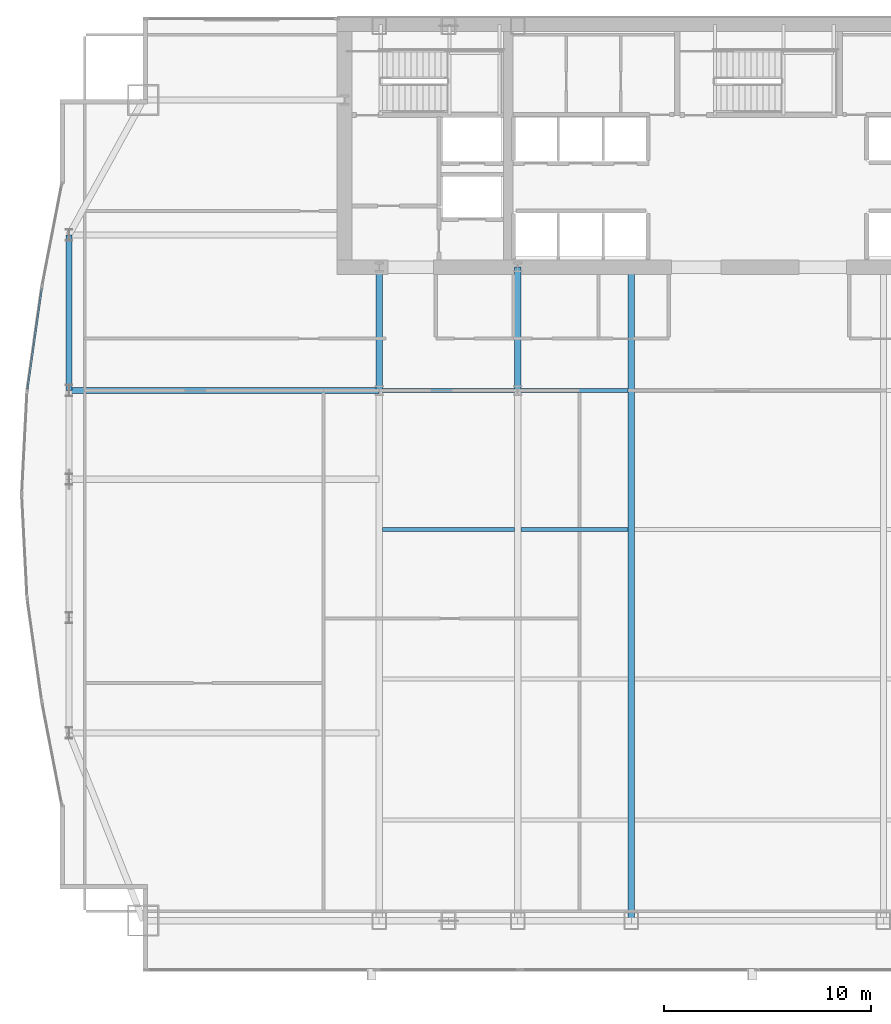
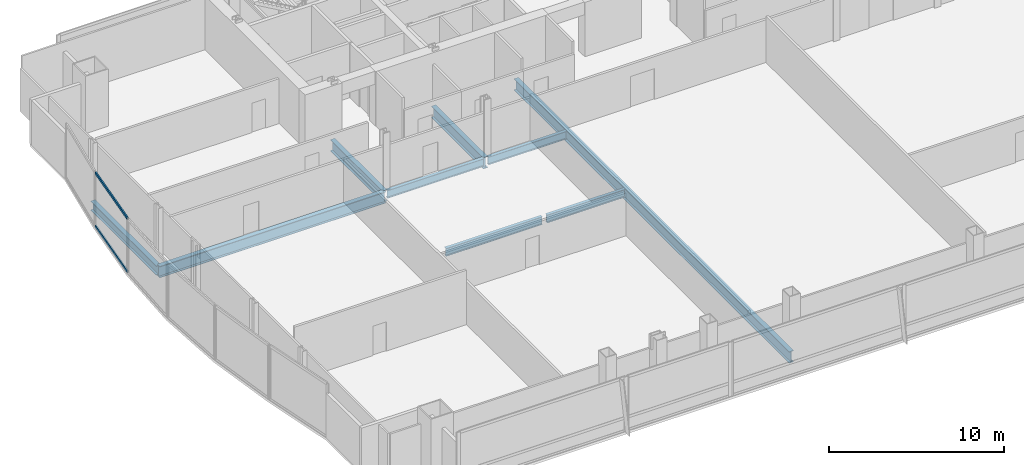
# One storey, part 12 of 34: 9 beams, 2 members, 1 element without a shape of its own.
"""IFC4 building model written with IfcOpenShell, lengths in metres."""

from ifc_helpers import new_model, si_unit, direction, frame, origin, origin_2d, place, context, subcontext, project, spatial, hollow_rectangle, i_section, extrude, material, material_profile, profile_set, type_object, element, aggregate, save


model = new_model("IFC4")

# Units and contexts
model_context = context("Model", 3, precision=1e-05, world=origin(), true_north=direction((0.0, 1.0)))
body_context = subcontext(model_context, "Body", "Model", "MODEL_VIEW")
ifc_project = project(units=[si_unit("LENGTHUNIT", "METRE"), si_unit("AREAUNIT", "SQUARE_METRE"), si_unit("VOLUMEUNIT", "CUBIC_METRE"), si_unit("PLANEANGLEUNIT", "RADIAN"), si_unit("MASSUNIT", "GRAM", prefix="KILO")], contexts=[model_context])

# Site, building, storey
site_placement = place(None, origin())
site = spatial("IfcSite", under=ifc_project, at=site_placement, CompositionType="ELEMENT")
building_placement = place(site_placement, origin())
building = spatial("IfcBuilding", under=site, at=building_placement, Name="Khoronbel Lancet Exchange", CompositionType="ELEMENT")
storey_placement = place(building_placement, frame((0.0, 0.0, 102.60009765625)))
storey = spatial("IfcBuildingStorey", under=building, at=storey_placement, Name="L24", CompositionType="ELEMENT", Elevation=102.60009765625)

# Beams
ifc_material_1 = material(Name="Steel S355", Category="steel")
ifc_material_profile_1 = material_profile(ifc_material_1, i_section(OverallWidth=0.300048828125, OverallDepth=0.800048828125, WebThickness=0.017578125, FlangeThickness=0.032958984375, at=origin_2d()), Name="HEB 800")
ifc_profile_set_1 = profile_set([ifc_material_profile_1], Name="Steel S355")
beam_type_1 = type_object("IfcBeamType", Name="BM-BG2", PredefinedType="BEAM", material=ifc_profile_set_1)
for number, where, z_axis, x_axis, name in (
    (1, (18.22509765625, 35.699951171875, -0.580078125), (0.0, 1.0, 0.0), (-1.0, 0.0, 0.0), "Level L24 spine tie girder GN1"),
    (2, (24.89990234375, 35.699951171875, -0.580078125), (0.0, 1.0, 0.0), (-1.0, 0.0, 0.0), "Level L24 spine tie girder GN2"),
):
    element("IfcBeam", number, at=place(storey_placement, frame(where, z_axis=z_axis, x_axis=x_axis)), inside=storey, type_object=beam_type_1, Name=name, PredefinedType="BEAM", context=body_context, shape_type="SweptSolid", body=[
        extrude(i_section(OverallWidth=0.300048828125, OverallDepth=0.800048828125, WebThickness=0.017578125, FlangeThickness=0.032958984375, at=origin_2d()), origin(), (0.0, 0.0, 1.0), 5.949951171875),
    ])
beam_1_placement = place(storey_placement, frame((30.375, 10.14990234375, -0.580078125), z_axis=(0.0, 1.0, 0.0), x_axis=(-1.0, 0.0, 0.0)))
element("IfcBeam", 3, at=beam_1_placement, inside=storey, type_object=beam_type_1, Name="Level L24 primary floor girder G3", PredefinedType="BEAM", context=body_context, shape_type="SweptSolid", body=[
    extrude(i_section(OverallWidth=0.300048828125, OverallDepth=0.800048828125, WebThickness=0.017578125, FlangeThickness=0.032958984375, at=origin_2d()), origin(), (0.0, 0.0, 1.0), 31.5),
])
beam_2_placement = place(storey_placement, frame((3.27001953125, 35.699951171875, -0.580078125), z_axis=(1.0, 0.0, 0.0), x_axis=(0.0, 1.0, 0.0)))
element("IfcBeam", 4, at=beam_2_placement, inside=storey, type_object=beam_type_1, Name="Level L24 west lens tie girder LG4W", PredefinedType="BEAM", context=body_context, shape_type="SweptSolid", body=[
    extrude(i_section(OverallWidth=0.300048828125, OverallDepth=0.800048828125, WebThickness=0.017578125, FlangeThickness=0.032958984375, at=origin_2d()), origin(), (0.0, 0.0, 1.0), 14.955078125),
])
ifc_material_profile_2 = material_profile(ifc_material_1, i_section(OverallWidth=0.2099609375, OverallDepth=0.550048828125, WebThickness=0.010986328125, FlangeThickness=0.01708984375, at=origin_2d()), Name="IPE 550")
ifc_profile_set_2 = profile_set([ifc_material_profile_2], Name="Steel S355")
beam_type_2 = type_object("IfcBeamType", Name="BM-BJ2", PredefinedType="JOIST", material=ifc_profile_set_2)
beam_3_placement = place(storey_placement, frame((18.375, 29.0, -0.455078125), z_axis=(1.0, 0.0, 0.0), x_axis=(0.0, 1.0, 0.0)))
element("IfcBeam", 5, at=beam_3_placement, inside=storey, type_object=beam_type_2, Name="Level L24 secondary composite joist J11", PredefinedType="JOIST", context=body_context, shape_type="SweptSolid", body=[
    extrude(i_section(OverallWidth=0.2099609375, OverallDepth=0.550048828125, WebThickness=0.010986328125, FlangeThickness=0.01708984375, at=origin_2d()), origin(), (0.0, 0.0, 1.0), 6.375),
])
beam_4_placement = place(storey_placement, frame((25.050048828125, 29.0, -0.455078125), z_axis=(1.0, 0.0, 0.0), x_axis=(0.0, 1.0, 0.0)))
element("IfcBeam", 6, at=beam_4_placement, inside=storey, type_object=beam_type_2, Name="Level L24 secondary composite joist J12", PredefinedType="JOIST", context=body_context, shape_type="SweptSolid", body=[
    extrude(i_section(OverallWidth=0.2099609375, OverallDepth=0.550048828125, WebThickness=0.010986328125, FlangeThickness=0.01708984375, at=origin_2d()), origin(), (0.0, 0.0, 1.0), 5.175048828125),
])
beam_5_placement = place(storey_placement, frame((18.375, 35.699951171875, -0.455078125), z_axis=(1.0, 0.0, 0.0), x_axis=(0.0, 1.0, 0.0)))
element("IfcBeam", 7, at=beam_5_placement, inside=storey, type_object=beam_type_2, Name="Level L24 secondary composite joist J16", PredefinedType="JOIST", context=body_context, shape_type="SweptSolid", body=[
    extrude(i_section(OverallWidth=0.2099609375, OverallDepth=0.550048828125, WebThickness=0.010986328125, FlangeThickness=0.01708984375, at=origin_2d()), origin(), (0.0, 0.0, 1.0), 6.375),
])
beam_6_placement = place(storey_placement, frame((25.050048828125, 35.699951171875, -0.455078125), z_axis=(1.0, 0.0, 0.0), x_axis=(0.0, 1.0, 0.0)))
element("IfcBeam", 8, at=beam_6_placement, inside=storey, type_object=beam_type_2, Name="Level L24 secondary composite joist J17", PredefinedType="JOIST", context=body_context, shape_type="SweptSolid", body=[
    extrude(i_section(OverallWidth=0.2099609375, OverallDepth=0.550048828125, WebThickness=0.010986328125, FlangeThickness=0.01708984375, at=origin_2d()), origin(), (0.0, 0.0, 1.0), 5.175048828125),
])
ifc_material_profile_3 = material_profile(ifc_material_1, i_section(OverallWidth=0.300048828125, OverallDepth=0.64990234375, WebThickness=0.01611328125, FlangeThickness=0.031005859375, at=origin_2d()), Name="HEB 650")
ifc_profile_set_3 = profile_set([ifc_material_profile_3], Name="Steel S355")
beam_type_3 = type_object("IfcBeamType", Name="BM-BSP1", PredefinedType="SPANDREL", material=ifc_profile_set_3)
beam_7_placement = place(storey_placement, frame((3.27001953125, 43.199951171875, -0.505126953125), z_axis=(0.0, -1.0, 0.0), x_axis=(1.0, 0.0, 0.0)))
element("IfcBeam", 9, at=beam_7_placement, inside=storey, type_object=beam_type_3, Name="Level L24 perimeter spandrel beam SP17", PredefinedType="SPANDREL", context=body_context, shape_type="SweptSolid", body=[
    extrude(i_section(OverallWidth=0.300048828125, OverallDepth=0.64990234375, WebThickness=0.01611328125, FlangeThickness=0.031005859375, at=origin_2d()), origin(), (0.0, 0.0, 1.0), 7.5),
])

# Curtain wall, members
ifc_material_2 = material(Name="Low-E Solar Control Insulating Glass", Category="glass")
curtain_wall_type = type_object("IfcCurtainWallType", Name="CW-4", PredefinedType="NOTDEFINED", material=ifc_material_2)
curtain_wall_placement = place(storey_placement, origin())
curtain_wall = element("IfcCurtainWall", 10, at=curtain_wall_placement, inside=storey, type_object=curtain_wall_type, Name="Unitised curtain wall CW-L24-E08", PredefinedType="NOTDEFINED")
ifc_material_3 = material(Name="Bronze-Anodised Aluminium 6063-T6", Category="aluminium")
ifc_material_profile_4 = material_profile(ifc_material_3, hollow_rectangle(XDim=0.0849609375, YDim=0.179931640625, WallThickness=0.0048828125, at=origin_2d()), Name="ALU TRANSOM 85x180")
ifc_profile_set_4 = profile_set([ifc_material_profile_4], Name="Bronze-Anodised Aluminium 6063-T6")
member_type = type_object("IfcMemberType", Name="MEM-CWT1", PredefinedType="USERDEFINED", material=ifc_profile_set_4)
member_1_placement = place(storey_placement, frame((1.270263671875, 35.765625, 0.04248046875), z_axis=(0.140583194247, 0.990068869067, 0.0), x_axis=(-0.990068869067, 0.140583194247, 0.0)))
member_1 = element("IfcMember", 11, at=member_1_placement, type_object=member_type, Name="CW4 transom 1.1", ObjectType="TRANSOM", PredefinedType="USERDEFINED", context=body_context, shape_type="SweptSolid", body=[
    extrude(hollow_rectangle(XDim=0.0849609375, YDim=0.179931640625, WallThickness=0.0048828125, at=origin_2d()), origin(), (0.0, 0.0, 1.0), 4.893798828125),
])
member_2_placement = place(storey_placement, frame((1.270263671875, 35.765625, 3.75732421875), z_axis=(0.140583194247, 0.990068869067, 0.0), x_axis=(-0.990068869067, 0.140583194247, 0.0)))
member_2 = element("IfcMember", 12, at=member_2_placement, type_object=member_type, Name="CW4 transom 1.2", ObjectType="TRANSOM", PredefinedType="USERDEFINED", context=body_context, shape_type="SweptSolid", body=[
    extrude(hollow_rectangle(XDim=0.0849609375, YDim=0.179931640625, WallThickness=0.0048828125, at=origin_2d()), origin(), (0.0, 0.0, 1.0), 4.893798828125),
])
aggregate(curtain_wall, [member_1, member_2])

save(model, "model.ifc")
